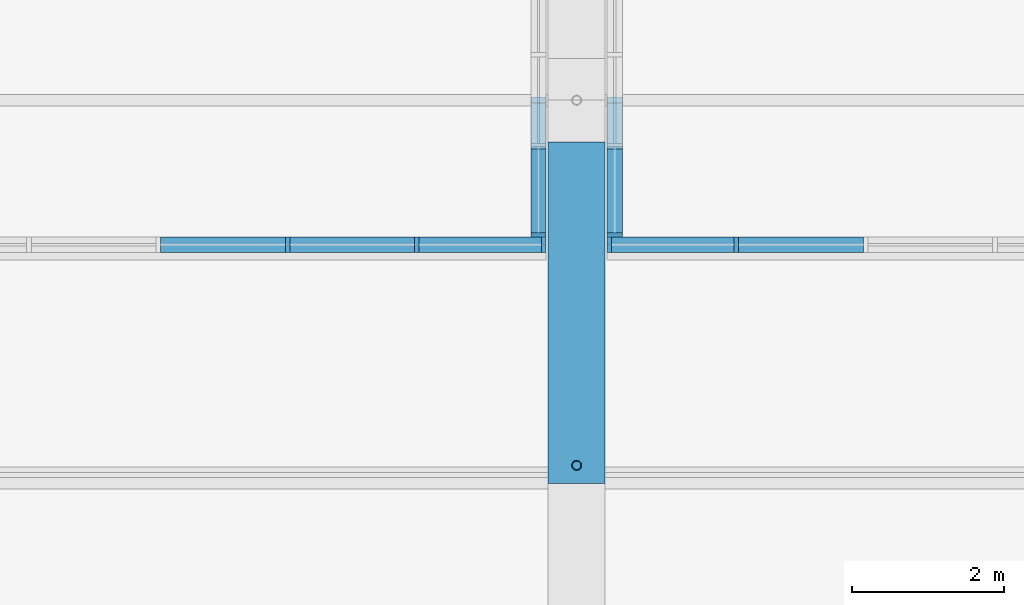
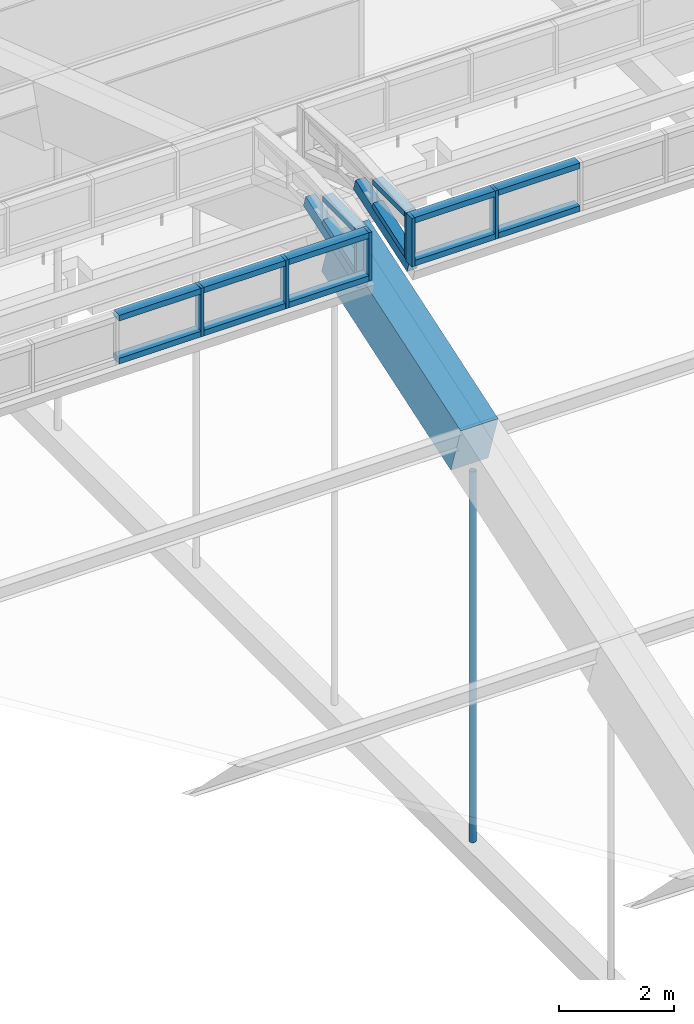
# One storey, part 70 of 149: 24 members, 1 beam, 4 elements without a shape of their own.
"""IFC4 building model written with IfcOpenShell, lengths in metres."""

from ifc_helpers import new_model, si_unit, direction, frame, origin, origin_2d, place, context, subcontext, project, spatial, rectangle, hollow_circle, extrude, material, material_profile, profile_set, type_object, element, aggregate, save


model = new_model("IFC4")

# Units and contexts
model_context = context("Model", 3, precision=1e-05, world=origin(), true_north=direction((0.0, 1.0)))
body_context = subcontext(model_context, "Body", "Model", "MODEL_VIEW")
ifc_project = project(units=[si_unit("LENGTHUNIT", "METRE"), si_unit("AREAUNIT", "SQUARE_METRE"), si_unit("VOLUMEUNIT", "CUBIC_METRE"), si_unit("PLANEANGLEUNIT", "RADIAN"), si_unit("MASSUNIT", "GRAM", prefix="KILO")], contexts=[model_context])

# Site, building, storey
site_placement = place(None, origin())
site = spatial("IfcSite", under=ifc_project, at=site_placement, CompositionType="ELEMENT")
building_placement = place(site_placement, origin())
building = spatial("IfcBuilding", under=site, at=building_placement, Name="Alderwick Market Hall", CompositionType="ELEMENT")
storey_placement = place(building_placement, frame((0.0, 0.0, 9.60009765625)))
storey = spatial("IfcBuildingStorey", under=building, at=storey_placement, Name="L01", CompositionType="ELEMENT", Elevation=9.60009765625)

# Beam
ifc_material_1 = material(Name="Concrete 5000 psi (f'c 35 MPa)", Category="concrete")
ifc_material_profile_1 = material_profile(ifc_material_1, rectangle(XDim=0.75, YDim=1.10009765625, at=origin_2d()), Name="RC 750x1100")
ifc_profile_set_1 = profile_set([ifc_material_profile_1], Name="Concrete 5000 psi (f'c 35 MPa)")
beam_type = type_object("IfcBeamType", Name="R Arch Rib Crown 750x1100", PredefinedType="BEAM", material=ifc_profile_set_1)
beam_placement = place(storey_placement, frame((122.39990234375, 74.336669921875, 14.78955078125), z_axis=(0.0, 0.948678138981, 0.316243242806), x_axis=(-1.0, 0.0, 0.0)))
element("IfcBeam", 1, at=beam_placement, inside=storey, type_object=beam_type, Name="Arch rib 6 chord 6", PredefinedType="BEAM", context=body_context, shape_type="SweptSolid", body=[
    extrude(rectangle(XDim=0.75, YDim=1.10009765625, at=origin_2d()), origin(), (0.0, 0.0, 1.0), 4.732421875),
])

# Curtain wall, members
ifc_material_2 = material(Name="Aluminium", Category="aluminium")
curtain_wall_type = type_object("IfcCurtainWallType", Name="R Curtain Wall Frame", PredefinedType="NOTDEFINED", material=ifc_material_2)
curtain_wall_1_placement = place(storey_placement, origin())
curtain_wall_1 = element("IfcCurtainWall", 2, at=curtain_wall_1_placement, inside=storey, type_object=curtain_wall_type, Name="Curtain wall LCW S5", PredefinedType="NOTDEFINED")
ifc_material_profile_2 = material_profile(ifc_material_2, rectangle(XDim=0.199951171875, YDim=0.06005859375, at=origin_2d()), Name="AL 60x200")
ifc_profile_set_2 = profile_set([ifc_material_profile_2], Name="Aluminium")
member_type_1 = type_object("IfcMemberType", Name="R CW Mullion 60x200", PredefinedType="MULLION", material=ifc_profile_set_2)
member_1_placement = place(storey_placement, frame((118.60009765625, 77.300048828125, 16.670166015625), z_axis=(0.0, 0.0, 1.0), x_axis=(0.0, 1.0, 0.0)))
member_1 = element("IfcMember", 3, at=member_1_placement, type_object=member_type_1, Name="LCW S5 mullion 7", PredefinedType="MULLION", context=body_context, shape_type="SweptSolid", body=[
    extrude(rectangle(XDim=0.199951171875, YDim=0.06005859375, at=origin_2d()), origin(), (0.0, 0.0, 1.0), 1.02978515625),
])
member_2_placement = place(storey_placement, frame((120.300048828125, 77.300048828125, 16.670166015625), z_axis=(0.0, 0.0, 1.0), x_axis=(0.0, 1.0, 0.0)))
member_2 = element("IfcMember", 4, at=member_2_placement, type_object=member_type_1, Name="LCW S5 mullion 8", PredefinedType="MULLION", context=body_context, shape_type="SweptSolid", body=[
    extrude(rectangle(XDim=0.199951171875, YDim=0.06005859375, at=origin_2d()), origin(), (0.0, 0.0, 1.0), 1.02978515625),
])
member_3_placement = place(storey_placement, frame((121.969970703125, 77.300048828125, 16.670166015625), z_axis=(0.0, 0.0, 1.0), x_axis=(0.0, 1.0, 0.0)))
member_3 = element("IfcMember", 5, at=member_3_placement, type_object=member_type_1, Name="LCW S5 mullion 9", PredefinedType="MULLION", context=body_context, shape_type="SweptSolid", body=[
    extrude(rectangle(XDim=0.199951171875, YDim=0.06005859375, at=origin_2d()), origin(), (0.0, 0.0, 1.0), 1.02978515625),
])

# Curtain wall, member
curtain_wall_2_placement = place(storey_placement, origin())
curtain_wall_2 = element("IfcCurtainWall", 6, at=curtain_wall_2_placement, inside=storey, type_object=curtain_wall_type, Name="Curtain wall LCW E5", PredefinedType="NOTDEFINED")
member_4_placement = place(storey_placement, frame((121.89990234375, 77.429931640625, 16.713623046875), z_axis=(0.0, 0.0, 1.0), x_axis=(1.0, 0.0, 0.0)))
member_4 = element("IfcMember", 7, at=member_4_placement, type_object=member_type_1, Name="LCW E5 mullion 1", PredefinedType="MULLION", context=body_context, shape_type="SweptSolid", body=[
    extrude(rectangle(XDim=0.199951171875, YDim=0.06005859375, at=origin_2d()), origin(), (0.0, 0.0, 1.0), 0.986328125),
])

# Curtain wall, members
curtain_wall_3_placement = place(storey_placement, origin())
curtain_wall_3 = element("IfcCurtainWall", 8, at=curtain_wall_3_placement, inside=storey, type_object=curtain_wall_type, Name="Curtain wall LCW S6", PredefinedType="NOTDEFINED")
member_5_placement = place(storey_placement, frame((122.830078125, 77.300048828125, 16.670166015625), z_axis=(0.0, 0.0, 1.0), x_axis=(0.0, 1.0, 0.0)))
member_5 = element("IfcMember", 9, at=member_5_placement, type_object=member_type_1, Name="LCW S6 mullion 1", PredefinedType="MULLION", context=body_context, shape_type="SweptSolid", body=[
    extrude(rectangle(XDim=0.199951171875, YDim=0.06005859375, at=origin_2d()), origin(), (0.0, 0.0, 1.0), 1.02978515625),
])
member_6_placement = place(storey_placement, frame((124.5, 77.300048828125, 16.670166015625), z_axis=(0.0, 0.0, 1.0), x_axis=(0.0, 1.0, 0.0)))
member_6 = element("IfcMember", 10, at=member_6_placement, type_object=member_type_1, Name="LCW S6 mullion 2", PredefinedType="MULLION", context=body_context, shape_type="SweptSolid", body=[
    extrude(rectangle(XDim=0.199951171875, YDim=0.06005859375, at=origin_2d()), origin(), (0.0, 0.0, 1.0), 1.02978515625),
])

# Curtain wall, member
curtain_wall_4_placement = place(storey_placement, origin())
curtain_wall_4 = element("IfcCurtainWall", 11, at=curtain_wall_4_placement, inside=storey, type_object=curtain_wall_type, Name="Curtain wall LCW W6", PredefinedType="NOTDEFINED")
member_7_placement = place(storey_placement, frame((122.89990234375, 77.429931640625, 16.713623046875), z_axis=(0.0, 0.0, 1.0), x_axis=(1.0, 0.0, 0.0)))
member_7 = element("IfcMember", 12, at=member_7_placement, type_object=member_type_1, Name="LCW W6 mullion 1", PredefinedType="MULLION", context=body_context, shape_type="SweptSolid", body=[
    extrude(rectangle(XDim=0.199951171875, YDim=0.06005859375, at=origin_2d()), origin(), (0.0, 0.0, 1.0), 0.986328125),
])

# Member
ifc_material_profile_3 = material_profile(ifc_material_2, rectangle(XDim=0.199951171875, YDim=0.1201171875, at=origin_2d()), Name="AL 120x200")
ifc_profile_set_3 = profile_set([ifc_material_profile_3], Name="Aluminium")
member_type_2 = type_object("IfcMemberType", Name="R CW Transom 120x200", PredefinedType="USERDEFINED", material=ifc_profile_set_3)
member_8_placement = place(storey_placement, frame((116.929931640625, 77.300048828125, 16.730224609375), z_axis=(1.0, 0.0, 0.0), x_axis=(0.0, 1.0, 0.0)))
member_8 = element("IfcMember", 13, at=member_8_placement, type_object=member_type_2, Name="LCW S5 sill transom 6", ObjectType="TRANSOM", PredefinedType="USERDEFINED", context=body_context, shape_type="SweptSolid", body=[
    extrude(rectangle(XDim=0.199951171875, YDim=0.1201171875, at=origin_2d()), origin(), (0.0, 0.0, 1.0), 1.64013671875),
])

member_9_placement = place(storey_placement, frame((116.929931640625, 77.300048828125, 17.639892578125), z_axis=(1.0, 0.0, 0.0), x_axis=(0.0, 1.0, 0.0)))
member_9 = element("IfcMember", 14, at=member_9_placement, type_object=member_type_2, Name="LCW S5 head transom 6", ObjectType="TRANSOM", PredefinedType="USERDEFINED", context=body_context, shape_type="SweptSolid", body=[
    extrude(rectangle(XDim=0.199951171875, YDim=0.1201171875, at=origin_2d()), origin(), (0.0, 0.0, 1.0), 1.64013671875),
])

member_10_placement = place(storey_placement, frame((118.6298828125, 77.300048828125, 16.730224609375), z_axis=(1.0, 0.0, 0.0), x_axis=(0.0, 1.0, 0.0)))
member_10 = element("IfcMember", 15, at=member_10_placement, type_object=member_type_2, Name="LCW S5 sill transom 7", ObjectType="TRANSOM", PredefinedType="USERDEFINED", context=body_context, shape_type="SweptSolid", body=[
    extrude(rectangle(XDim=0.199951171875, YDim=0.1201171875, at=origin_2d()), origin(), (0.0, 0.0, 1.0), 1.64013671875),
])

member_11_placement = place(storey_placement, frame((118.6298828125, 77.300048828125, 17.639892578125), z_axis=(1.0, 0.0, 0.0), x_axis=(0.0, 1.0, 0.0)))
member_11 = element("IfcMember", 16, at=member_11_placement, type_object=member_type_2, Name="LCW S5 head transom 7", ObjectType="TRANSOM", PredefinedType="USERDEFINED", context=body_context, shape_type="SweptSolid", body=[
    extrude(rectangle(XDim=0.199951171875, YDim=0.1201171875, at=origin_2d()), origin(), (0.0, 0.0, 1.0), 1.64013671875),
])

member_12_placement = place(storey_placement, frame((120.330078125, 77.300048828125, 16.730224609375), z_axis=(1.0, 0.0, 0.0), x_axis=(0.0, 1.0, 0.0)))
member_12 = element("IfcMember", 17, at=member_12_placement, type_object=member_type_2, Name="LCW S5 sill transom 8", ObjectType="TRANSOM", PredefinedType="USERDEFINED", context=body_context, shape_type="SweptSolid", body=[
    extrude(rectangle(XDim=0.199951171875, YDim=0.1201171875, at=origin_2d()), origin(), (0.0, 0.0, 1.0), 1.60986328125),
])

member_13_placement = place(storey_placement, frame((120.330078125, 77.300048828125, 17.639892578125), z_axis=(1.0, 0.0, 0.0), x_axis=(0.0, 1.0, 0.0)))
member_13 = element("IfcMember", 18, at=member_13_placement, type_object=member_type_2, Name="LCW S5 head transom 8", ObjectType="TRANSOM", PredefinedType="USERDEFINED", context=body_context, shape_type="SweptSolid", body=[
    extrude(rectangle(XDim=0.199951171875, YDim=0.1201171875, at=origin_2d()), origin(), (0.0, 0.0, 1.0), 1.60986328125),
])

aggregate(curtain_wall_1, [member_1, member_2, member_3, member_8, member_9, member_10, member_11, member_12, member_13])

member_14_placement = place(storey_placement, frame((121.89990234375, 77.4599609375, 16.783447265625), z_axis=(0.0, 0.948662432506, 0.316290355768), x_axis=(-1.0, 0.0, 0.0)))
member_14 = element("IfcMember", 19, at=member_14_placement, type_object=member_type_2, Name="LCW E5 sill transom 1", ObjectType="TRANSOM", PredefinedType="USERDEFINED", context=body_context, shape_type="SweptSolid", body=[
    extrude(rectangle(XDim=0.199951171875, YDim=0.1201171875, at=origin_2d()), origin(), (0.0, 0.0, 1.0), 1.170166015625),
])

member_15_placement = place(storey_placement, frame((121.89990234375, 77.4599609375, 17.639892578125), z_axis=(0.0, 1.0, 0.0), x_axis=(-1.0, 0.0, 0.0)))
member_15 = element("IfcMember", 20, at=member_15_placement, type_object=member_type_2, Name="LCW E5 head transom 1", ObjectType="TRANSOM", PredefinedType="USERDEFINED", context=body_context, shape_type="SweptSolid", body=[
    extrude(rectangle(XDim=0.199951171875, YDim=0.1201171875, at=origin_2d()), origin(), (0.0, 0.0, 1.0), 1.110107421875),
])

member_16_placement = place(storey_placement, frame((122.860107421875, 77.300048828125, 16.730224609375), z_axis=(1.0, 0.0, 0.0), x_axis=(0.0, 1.0, 0.0)))
member_16 = element("IfcMember", 21, at=member_16_placement, type_object=member_type_2, Name="LCW S6 sill transom 1", ObjectType="TRANSOM", PredefinedType="USERDEFINED", context=body_context, shape_type="SweptSolid", body=[
    extrude(rectangle(XDim=0.199951171875, YDim=0.1201171875, at=origin_2d()), origin(), (0.0, 0.0, 1.0), 1.60986328125),
])

member_17_placement = place(storey_placement, frame((122.860107421875, 77.300048828125, 17.639892578125), z_axis=(1.0, 0.0, 0.0), x_axis=(0.0, 1.0, 0.0)))
member_17 = element("IfcMember", 22, at=member_17_placement, type_object=member_type_2, Name="LCW S6 head transom 1", ObjectType="TRANSOM", PredefinedType="USERDEFINED", context=body_context, shape_type="SweptSolid", body=[
    extrude(rectangle(XDim=0.199951171875, YDim=0.1201171875, at=origin_2d()), origin(), (0.0, 0.0, 1.0), 1.60986328125),
])

member_18_placement = place(storey_placement, frame((124.530029296875, 77.300048828125, 16.730224609375), z_axis=(1.0, 0.0, 0.0), x_axis=(0.0, 1.0, 0.0)))
member_18 = element("IfcMember", 23, at=member_18_placement, type_object=member_type_2, Name="LCW S6 sill transom 2", ObjectType="TRANSOM", PredefinedType="USERDEFINED", context=body_context, shape_type="SweptSolid", body=[
    extrude(rectangle(XDim=0.199951171875, YDim=0.1201171875, at=origin_2d()), origin(), (0.0, 0.0, 1.0), 1.639892578125),
])

member_19_placement = place(storey_placement, frame((124.530029296875, 77.300048828125, 17.639892578125), z_axis=(1.0, 0.0, 0.0), x_axis=(0.0, 1.0, 0.0)))
member_19 = element("IfcMember", 24, at=member_19_placement, type_object=member_type_2, Name="LCW S6 head transom 2", ObjectType="TRANSOM", PredefinedType="USERDEFINED", context=body_context, shape_type="SweptSolid", body=[
    extrude(rectangle(XDim=0.199951171875, YDim=0.1201171875, at=origin_2d()), origin(), (0.0, 0.0, 1.0), 1.639892578125),
])

aggregate(curtain_wall_3, [member_5, member_6, member_16, member_17, member_18, member_19])

member_20_placement = place(storey_placement, frame((122.89990234375, 77.4599609375, 16.783447265625), z_axis=(0.0, 0.948662432506, 0.316290355768), x_axis=(-1.0, 0.0, 0.0)))
member_20 = element("IfcMember", 25, at=member_20_placement, type_object=member_type_2, Name="LCW W6 sill transom 1", ObjectType="TRANSOM", PredefinedType="USERDEFINED", context=body_context, shape_type="SweptSolid", body=[
    extrude(rectangle(XDim=0.199951171875, YDim=0.1201171875, at=origin_2d()), origin(), (0.0, 0.0, 1.0), 1.170166015625),
])

member_21_placement = place(storey_placement, frame((122.89990234375, 77.4599609375, 17.639892578125), z_axis=(0.0, 1.0, 0.0), x_axis=(-1.0, 0.0, 0.0)))
member_21 = element("IfcMember", 26, at=member_21_placement, type_object=member_type_2, Name="LCW W6 head transom 1", ObjectType="TRANSOM", PredefinedType="USERDEFINED", context=body_context, shape_type="SweptSolid", body=[
    extrude(rectangle(XDim=0.199951171875, YDim=0.1201171875, at=origin_2d()), origin(), (0.0, 0.0, 1.0), 1.110107421875),
])

ifc_material_3 = material(Name="Steel ASTM A500 Grade C", Category="steel")
ifc_material_profile_4 = material_profile(ifc_material_3, hollow_circle(Radius=0.0634765625, WallThickness=0.005859375, at=origin_2d()), Name="HSS5.000x0.250")
ifc_profile_set_4 = profile_set([ifc_material_profile_4], Name="Steel ASTM A500 Grade C")
member_type_3 = type_object("IfcMemberType", Name="R Hanger HSS5.000x0.250", PredefinedType="POST", material=ifc_profile_set_4)
member_22_placement = place(storey_placement, frame((122.39990234375, 74.39990234375, 6.35302734375), z_axis=(0.0, 0.0, 1.0), x_axis=(1.0, 0.0, 0.0)))
element("IfcMember", 27, at=member_22_placement, inside=storey, type_object=member_type_3, Name="Arch hanger 6.5", PredefinedType="POST", context=body_context, shape_type="SweptSolid", body=[
    extrude(hollow_circle(Radius=0.0634765625, WallThickness=0.005859375, at=origin_2d()), origin(), (0.0, 0.0, 1.0), 7.856689453125),
])

ifc_material_4 = material(Name="Steel ASTM A572 Grade 50", Category="steel")
ifc_material_profile_5 = material_profile(ifc_material_4, rectangle(XDim=0.199951171875, YDim=0.25, at=origin_2d()), Name="Steel plate curb 200x250")
ifc_profile_set_5 = profile_set([ifc_material_profile_5], Name="Steel ASTM A572 Grade 50")
member_type_4 = type_object("IfcMemberType", Name="R Lantern Curb 200x250", PredefinedType="MEMBER", material=ifc_profile_set_5)
member_23_placement = place(storey_placement, frame((121.89990234375, 77.335205078125, 16.5849609375), z_axis=(0.0, 0.948683298051, 0.316227766017), x_axis=(-1.0, 0.0, 0.0)))
member_23 = element("IfcMember", 28, at=member_23_placement, type_object=member_type_4, Name="Lantern end curb E5.1", PredefinedType="MEMBER", context=body_context, shape_type="SweptSolid", body=[
    extrude(rectangle(XDim=0.199951171875, YDim=0.25, at=origin_2d()), origin(), (0.0, 0.0, 1.0), 1.965576171875),
])

aggregate(curtain_wall_2, [member_4, member_14, member_15, member_23])

member_24_placement = place(storey_placement, frame((122.89990234375, 77.335205078125, 16.5849609375), z_axis=(0.0, 0.948683298051, 0.316227766017), x_axis=(-1.0, 0.0, 0.0)))
member_24 = element("IfcMember", 29, at=member_24_placement, type_object=member_type_4, Name="Lantern end curb W6.1", PredefinedType="MEMBER", context=body_context, shape_type="SweptSolid", body=[
    extrude(rectangle(XDim=0.199951171875, YDim=0.25, at=origin_2d()), origin(), (0.0, 0.0, 1.0), 1.965576171875),
])

aggregate(curtain_wall_4, [member_7, member_20, member_21, member_24])

save(model, "model.ifc")
